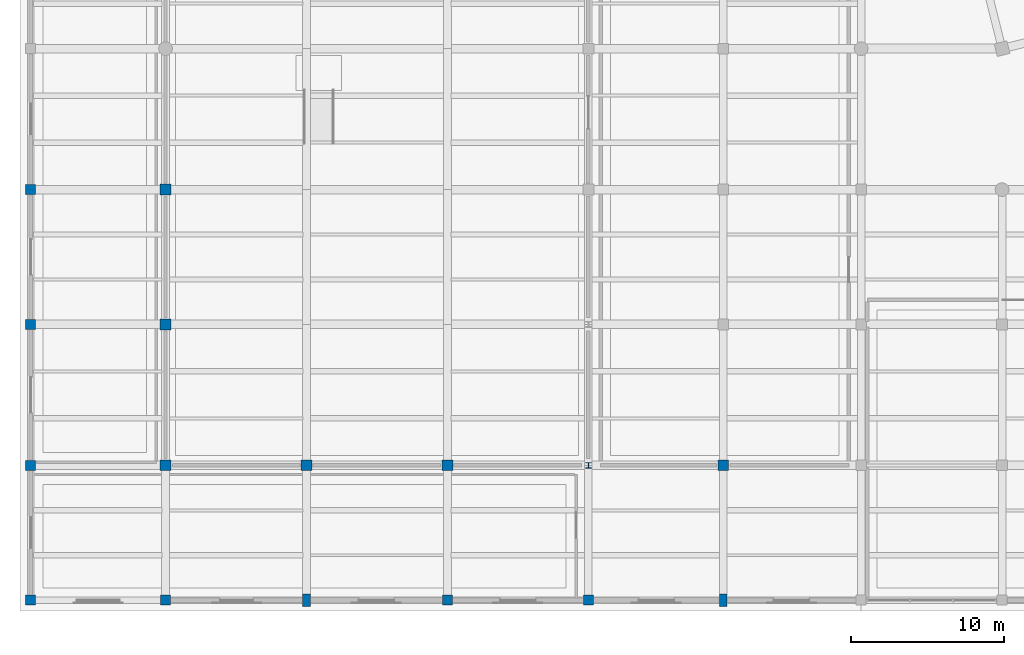
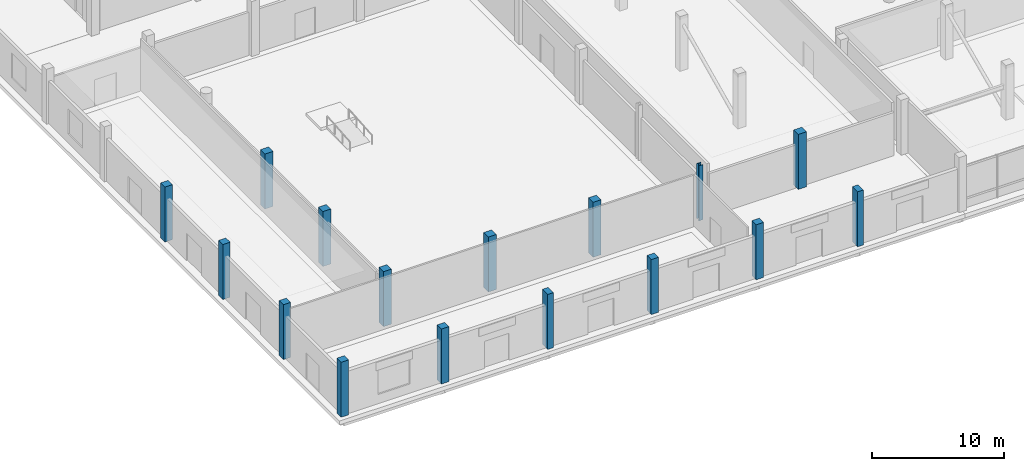
# One storey, part 1 of 73: 16 columns.
"""IFC4 building model written with IfcOpenShell, lengths in metres."""

import ifcopenshell
import ifcopenshell.guid

model = None  # the IFC model being written
_history = None  # IfcOwnerHistory: only IFC2X3 demands one
_inside = {}  # id of a spatial element -> (the spatial element, [elements in it])
_under = {}  # id of a project, library or spatial element -> (it, [spatial elements below it])
_declared = {}  # id of a project -> (the project, [libraries it declares])
_typed = {}  # id of a type object -> (the type object, [elements of that type])
_made_of = {}  # id of a material, layer set ... -> (it, [elements and type objects made of it])


def new_model(schema):
    """Start an empty IFC model of exactly this schema.

    Asked for "IFC4X3", IfcOpenShell would pick the latest addendum, in which some entities
    have other attributes; the version numbers below select the first issue.
    IFC2X3 requires an IfcOwnerHistory on every rooted entity: one is made here for all.
    """
    global model, _history
    if schema == "IFC4X3":
        model = ifcopenshell.file(schema_version=(4, 3, 0, 0))
    else:
        model = ifcopenshell.file(schema=schema)
    _inside.clear()
    _under.clear()
    _declared.clear()
    _typed.clear()
    _made_of.clear()
    _history = None
    if model.schema == "IFC2X3":
        org = make("IfcOrganization", Name="unknown")
        user = make(
            "IfcPersonAndOrganization",
            ThePerson=make("IfcPerson", FamilyName="unknown"),
            TheOrganization=org,
        )
        app = make(
            "IfcApplication",
            ApplicationDeveloper=org,
            Version="unknown",
            ApplicationFullName="unknown",
            ApplicationIdentifier="unknown",
        )
        _history = make(
            "IfcOwnerHistory",
            OwningUser=user,
            OwningApplication=app,
            ChangeAction="ADDED",
            CreationDate=0,
        )
    return model


def make(cls, **values):
    """One entity of the class cls with the attributes given. An attribute that is None is left unset."""
    return model.create_entity(
        cls, **{name: value for name, value in values.items() if value is not None}
    )


def rooted(cls, **values):
    """An entity with a GlobalId (a new one), such as an element, a storey or a relation."""
    return make(cls, GlobalId=ifcopenshell.guid.new(), OwnerHistory=_history, **values)


def si_unit(unit_type, name, prefix=None):
    """IfcSIUnit, for example si_unit("LENGTHUNIT", "METRE", prefix="MILLI")."""
    return make("IfcSIUnit", UnitType=unit_type, Prefix=prefix, Name=name)


def assignment(units):
    """IfcUnitAssignment: the units of a project."""
    return None if units is None else make("IfcUnitAssignment", Units=units)


def point(xyz):
    """IfcCartesianPoint."""
    return None if xyz is None else make("IfcCartesianPoint", Coordinates=xyz)


def direction(xyz):
    """IfcDirection."""
    return None if xyz is None else make("IfcDirection", DirectionRatios=xyz)


def frame(location, z_axis=None, x_axis=None):
    """IfcAxis2Placement3D, a coordinate frame: its origin and axes. An axis left out is left unset."""
    return make(
        "IfcAxis2Placement3D",
        Location=point(location),
        Axis=direction(z_axis),
        RefDirection=direction(x_axis),
    )


def frame_2d(location, x_axis=None):
    """IfcAxis2Placement2D, a coordinate frame in the plane: its origin and x axis."""
    return make(
        "IfcAxis2Placement2D", Location=point(location), RefDirection=direction(x_axis)
    )


def origin():
    """The frame at (0, 0, 0) with its axes left unset."""
    return frame((0.0, 0.0, 0.0))


def origin_2d():
    """The frame at (0, 0) in the plane with its x axis left unset."""
    return frame_2d((0.0, 0.0))


def place(relative_to, where):
    """IfcLocalPlacement: puts the frame where relative to a parent placement (None: the world)."""
    return make(
        "IfcLocalPlacement", PlacementRelTo=relative_to, RelativePlacement=where
    )


def context(
    kind, dimensions, precision=None, world=None, true_north=None, identifier=None
):
    """IfcGeometricRepresentationContext, for example the 3D "Model" context."""
    return make(
        "IfcGeometricRepresentationContext",
        ContextIdentifier=identifier,
        ContextType=kind,
        CoordinateSpaceDimension=dimensions,
        Precision=precision,
        WorldCoordinateSystem=world,
        TrueNorth=true_north,
    )


def subcontext(parent, identifier, kind, view, scale=None):
    """IfcGeometricRepresentationSubContext, for example "Body" below "Model"."""
    return make(
        "IfcGeometricRepresentationSubContext",
        ContextIdentifier=identifier,
        ContextType=kind,
        ParentContext=parent,
        TargetScale=scale,
        TargetView=view,
    )


def project(units=None, contexts=None):
    """IfcProject with its units and contexts."""
    return rooted(
        "IfcProject",
        Name="project",
        RepresentationContexts=contexts,
        UnitsInContext=assignment(units),
    )


def spatial(cls, under=None, at=None, **own):
    """A site, building, storey or space (cls), placed at a placement, below another one or the project."""
    s = rooted(cls, ObjectPlacement=at, **own)
    if under is not None:
        _under.setdefault(under.id(), (under, []))[1].append(s)
    return s


def profile(cls, at=None, kind="AREA", **sizes):
    """A parametric profile (cls). Its sizes go by their IFC names, for example OverallWidth=200.0."""
    return make(cls, ProfileType=kind, Position=at, **sizes)


def rectangle(**sizes):
    """IfcRectangleProfileDef."""
    return profile("IfcRectangleProfileDef", **sizes)


def i_section(**sizes):
    """IfcIShapeProfileDef."""
    return profile("IfcIShapeProfileDef", **sizes)


def extrude(swept, where, along, depth):
    """IfcExtrudedAreaSolid: the profile swept, set in the frame where, extruded along a direction by depth."""
    return make(
        "IfcExtrudedAreaSolid",
        SweptArea=swept,
        Position=where,
        ExtrudedDirection=direction(along),
        Depth=depth,
    )


def shape(context_of_items, identifier, shape_type, items):
    """IfcShapeRepresentation: the items that make up one representation, for example the "Body"."""
    return make(
        "IfcShapeRepresentation",
        ContextOfItems=context_of_items,
        RepresentationIdentifier=identifier,
        RepresentationType=shape_type,
        Items=items,
    )


def material(Name=None, Category=None):
    """IfcMaterial."""
    return make("IfcMaterial", Name=Name, Category=Category)


def material_profile(
    of_material, cross_section, Name=None, Category=None, Priority=None
):
    """IfcMaterialProfile: a cross section and its material."""
    return make(
        "IfcMaterialProfile",
        Name=Name,
        Material=of_material,
        Profile=cross_section,
        Priority=Priority,
        Category=Category,
    )


def profile_set(profiles, Name=None, composite=None):
    """IfcMaterialProfileSet."""
    return make(
        "IfcMaterialProfileSet",
        Name=Name,
        MaterialProfiles=profiles,
        CompositeProfile=composite,
    )


def made_of(thing, what):
    """Note that an element or type object is made of a material, layer set ...; save() writes the relation."""
    if what is not None:
        _made_of.setdefault(what.id(), (what, []))[1].append(thing)
    return thing


def type_object(cls, material=None, **own):
    """A type object (cls), such as IfcWallType, which elements share."""
    return made_of(rooted(cls, **own), material)


def element(
    cls,
    number,
    at=None,
    inside=None,
    cuts=None,
    type_object=None,
    material=None,
    context=None,
    identifier="Body",
    shape_type=None,
    held_by="IfcProductDefinitionShape",
    body=None,
    shapes=None,
    **own,
):
    """One element of the class cls, such as IfcWall. Its Tag is "e" and its number.

    at: its placement. inside: the storey or other place that contains it. cuts: it is an
    opening in that element (IfcRelVoidsElement). A single representation is given by context,
    identifier, shape_type and body (its items); several are given by shapes. held_by: the class
    of the entity that holds the representations. save() writes the other relations.
    """
    e = rooted(cls, Tag="e%d" % number, ObjectPlacement=at, **own)
    if body is not None:
        shapes = [shape(context, identifier, shape_type, body)]
    if shapes is not None:
        e.Representation = make(held_by, Representations=shapes)
    if inside is not None:
        _inside.setdefault(inside.id(), (inside, []))[1].append(e)
    if cuts is not None:
        rooted(
            "IfcRelVoidsElement", RelatingBuildingElement=cuts, RelatedOpeningElement=e
        )
    if type_object is not None:
        _typed.setdefault(type_object.id(), (type_object, []))[1].append(e)
    return made_of(e, material)


def aggregate(whole, parts):
    """IfcRelAggregates: a whole, such as a stair, and the parts it consists of."""
    return rooted("IfcRelAggregates", RelatingObject=whole, RelatedObjects=parts)


def save(model, path):
    """Write the relations noted so far, then the file.

    IfcRelAggregates (storeys below a building ...), IfcRelContainedInSpatialStructure (elements
    in a storey), IfcRelDefinesByType, IfcRelAssociatesMaterial and IfcRelDeclares: one each for
    every whole, place, type object, material and project.
    """
    for whole, parts in _under.values():
        aggregate(whole, parts)
    for where, things in _inside.values():
        rooted(
            "IfcRelContainedInSpatialStructure",
            RelatedElements=things,
            RelatingStructure=where,
        )
    for kind, things in _typed.values():
        rooted("IfcRelDefinesByType", RelatedObjects=things, RelatingType=kind)
    for what, things in _made_of.values():
        rooted("IfcRelAssociatesMaterial", RelatedObjects=things, RelatingMaterial=what)
    for by, libraries in _declared.values():
        rooted("IfcRelDeclares", RelatingContext=by, RelatedDefinitions=libraries)
    model.write(path)


model = new_model("IFC4")

# Units and contexts
model_context = context("Model", 3, precision=1e-05, world=origin(), true_north=direction((0.0, 1.0)))
body_context = subcontext(model_context, "Body", "Model", "MODEL_VIEW")
ifc_project = project(units=[si_unit("LENGTHUNIT", "METRE"), si_unit("AREAUNIT", "SQUARE_METRE"), si_unit("VOLUMEUNIT", "CUBIC_METRE"), si_unit("PLANEANGLEUNIT", "RADIAN"), si_unit("MASSUNIT", "GRAM", prefix="KILO")], contexts=[model_context])

# Site, building, storey
site_placement = place(None, origin())
site = spatial("IfcSite", under=ifc_project, at=site_placement, CompositionType="ELEMENT")
building_placement = place(site_placement, origin())
building = spatial("IfcBuilding", under=site, at=building_placement, Name="Meriwether Solvik Hall", CompositionType="ELEMENT")
storey_placement = place(building_placement, origin())
storey = spatial("IfcBuildingStorey", under=building, at=storey_placement, Name="L00", CompositionType="ELEMENT", Elevation=0.0)

# Columns
ifc_material_1 = material(Name="Concrete C40/50", Category="concrete")
ifc_material_profile_1 = material_profile(ifc_material_1, rectangle(XDim=0.64990234375, YDim=0.64990234375, at=origin_2d()), Name="RCC-650X650")
ifc_profile_set_1 = profile_set([ifc_material_profile_1], Name="Concrete C40/50")
column_type_1 = type_object("IfcColumnType", Name="COL-RC-650", PredefinedType="COLUMN", material=ifc_profile_set_1)
for number, where, z_axis, x_axis, name in (
    (1, (5.199951171875, 5.199951171875, 0.0), (0.0, 0.0, 1.0), (1.0, 0.0, 0.0), "Podium Column 1/A (L00)"),
    (2, (5.199951171875, 14.0, 0.0), (0.0, 0.0, 1.0), (1.0, 0.0, 0.0), "Podium Column 1/B (L00)"),
    (3, (5.199951171875, 23.199951171875, 0.0), (0.0, 0.0, 1.0), (1.0, 0.0, 0.0), "Podium Column 1/C (L00)"),
    (4, (5.199951171875, 32.0, 0.0), (0.0, 0.0, 1.0), (1.0, 0.0, 0.0), "Podium Column 1/D (L00)"),
    (5, (14.0, 5.199951171875, 0.0), (0.0, 0.0, 1.0), (1.0, 0.0, 0.0), "Podium Column 2/A (L00)"),
    (6, (32.39990234375, 5.199951171875, 0.0), (0.0, 0.0, 1.0), (1.0, 0.0, 0.0), "Podium Column 4/A (L00)"),
    (7, (41.60009765625, 5.199951171875, 0.0), (0.0, 0.0, 1.0), (1.0, 0.0, 0.0), "Podium Column 5/A (L00)"),
):
    element("IfcColumn", number, at=place(storey_placement, frame(where, z_axis=z_axis, x_axis=x_axis)), inside=storey, type_object=column_type_1, Name=name, PredefinedType="COLUMN", context=body_context, shape_type="SweptSolid", body=[
        extrude(rectangle(XDim=0.64990234375, YDim=0.64990234375, at=origin_2d()), origin(), (0.0, 0.0, 1.0), 5.10009765625),
    ])
ifc_material_2 = material(Name="Concrete C40/50", Category="concrete")
ifc_material_profile_2 = material_profile(ifc_material_2, rectangle(XDim=0.699951171875, YDim=0.699951171875, at=origin_2d()), Name="RCC-700X700")
ifc_profile_set_2 = profile_set([ifc_material_profile_2], Name="Concrete C40/50")
column_type_2 = type_object("IfcColumnType", Name="COL-RC-700", PredefinedType="COLUMN", material=ifc_profile_set_2)
for number, where, z_axis, x_axis, name in (
    (8, (14.0, 14.0, 0.0), (0.0, 0.0, 1.0), (1.0, 0.0, 0.0), "Podium Column 2/B (L00)"),
    (9, (14.0, 23.199951171875, 0.0), (0.0, 0.0, 1.0), (1.0, 0.0, 0.0), "Podium Column 2/C (L00)"),
    (10, (14.0, 32.0, 0.0), (0.0, 0.0, 1.0), (1.0, 0.0, 0.0), "Podium Column 2/D (L00)"),
    (11, (23.199951171875, 14.0, 0.0), (0.0, 0.0, 1.0), (1.0, 0.0, 0.0), "Podium Column 3/B (L00)"),
    (12, (32.39990234375, 14.0, 0.0), (0.0, 0.0, 1.0), (1.0, 0.0, 0.0), "Podium Column 4/B (L00)"),
    (13, (50.39990234375, 14.0, 0.0), (0.0, 0.0, 1.0), (1.0, 0.0, 0.0), "Podium Column 6/B (L00)"),
):
    element("IfcColumn", number, at=place(storey_placement, frame(where, z_axis=z_axis, x_axis=x_axis)), inside=storey, type_object=column_type_2, Name=name, PredefinedType="COLUMN", context=body_context, shape_type="SweptSolid", body=[
        extrude(rectangle(XDim=0.699951171875, YDim=0.699951171875, at=origin_2d()), origin(), (0.0, 0.0, 1.0), 5.10009765625),
    ])
ifc_material_3 = material(Name="Steel A992 Grade 50", Category="steel")
ifc_material_profile_3 = material_profile(ifc_material_3, i_section(OverallWidth=0.3740234375, OverallDepth=0.3720703125, WebThickness=0.016357421875, FlangeThickness=0.026123046875, at=origin_2d()), Name="W14X132")
ifc_profile_set_3 = profile_set([ifc_material_profile_3], Name="Steel A992 Grade 50")
column_type_3 = type_object("IfcColumnType", Name="COL-STL-W14X132", PredefinedType="COLUMN", material=ifc_profile_set_3)
column_placement = place(storey_placement, frame((41.60009765625, 14.0, 0.0), z_axis=(0.0, 0.0, 1.0), x_axis=(1.0, 0.0, 0.0)))
element("IfcColumn", 14, at=column_placement, inside=storey, type_object=column_type_3, Name="Podium Column 5/B (L00)", PredefinedType="COLUMN", context=body_context, shape_type="SweptSolid", body=[
    extrude(i_section(OverallWidth=0.3740234375, OverallDepth=0.3720703125, WebThickness=0.016357421875, FlangeThickness=0.026123046875, at=origin_2d()), origin(), (0.0, 0.0, 1.0), 5.10009765625),
])
ifc_material_4 = material(Name="Concrete C40/50", Category="concrete")
ifc_material_profile_4 = material_profile(ifc_material_4, rectangle(XDim=0.5, YDim=0.800048828125, at=origin_2d()), Name="RCP-500X800")
ifc_profile_set_4 = profile_set([ifc_material_profile_4], Name="Concrete C40/50")
column_type_4 = type_object("IfcColumnType", Name="PIL-RC-500X800", PredefinedType="PILASTER", material=ifc_profile_set_4)
for number, where, z_axis, x_axis, name in (
    (15, (23.199951171875, 5.199951171875, 0.0), (0.0, 0.0, 1.0), (1.0, 0.0, 0.0), "Podium Column 3/A (L00)"),
    (16, (50.39990234375, 5.199951171875, 0.0), (0.0, 0.0, 1.0), (1.0, 0.0, 0.0), "Podium Column 6/A (L00)"),
):
    element("IfcColumn", number, at=place(storey_placement, frame(where, z_axis=z_axis, x_axis=x_axis)), inside=storey, type_object=column_type_4, Name=name, PredefinedType="PILASTER", context=body_context, shape_type="SweptSolid", body=[
        extrude(rectangle(XDim=0.5, YDim=0.800048828125, at=origin_2d()), origin(), (0.0, 0.0, 1.0), 5.10009765625),
    ])

save(model, "model.ifc")
